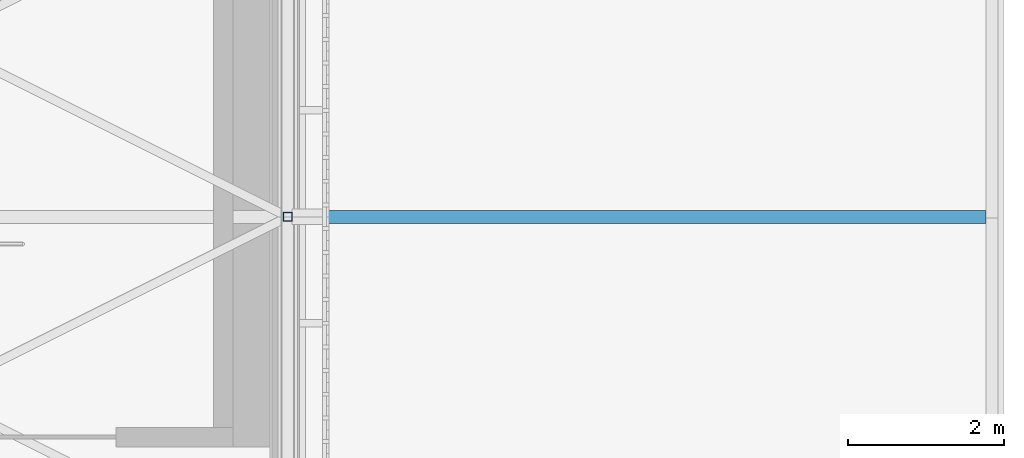
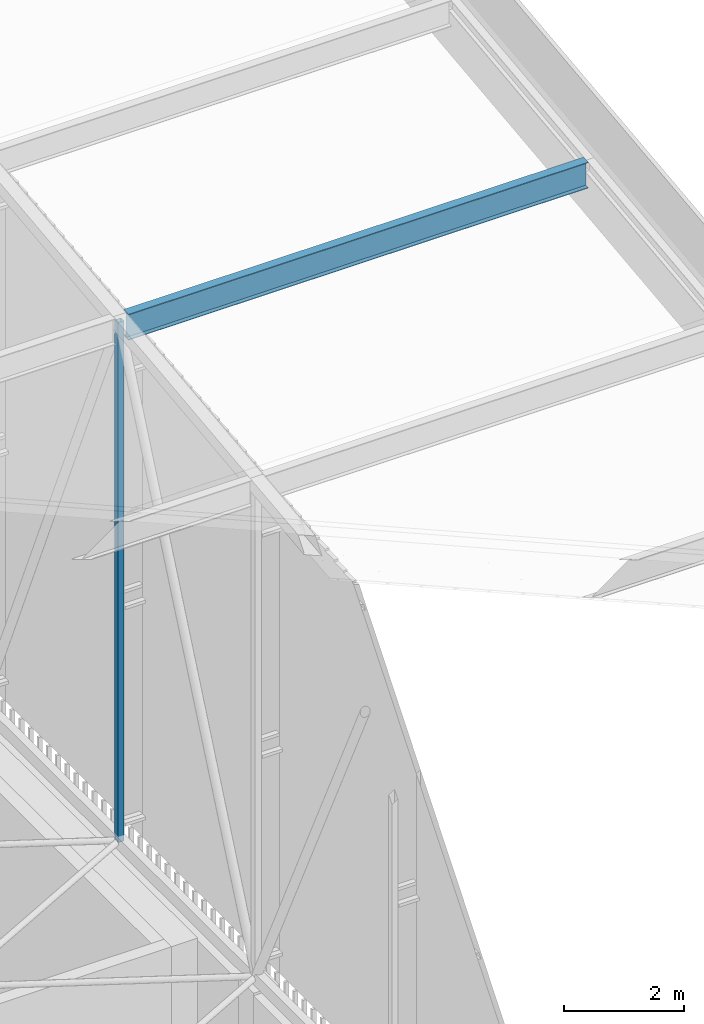
# One storey, part 347 of 500: 2 members.
"""IFC4 building model written with IfcOpenShell, lengths in metres."""

import ifcopenshell
import ifcopenshell.guid

model = None  # the IFC model being written
_history = None  # IfcOwnerHistory: only IFC2X3 demands one
_inside = {}  # id of a spatial element -> (the spatial element, [elements in it])
_under = {}  # id of a project, library or spatial element -> (it, [spatial elements below it])
_declared = {}  # id of a project -> (the project, [libraries it declares])
_typed = {}  # id of a type object -> (the type object, [elements of that type])
_made_of = {}  # id of a material, layer set ... -> (it, [elements and type objects made of it])


def new_model(schema):
    """Start an empty IFC model of exactly this schema.

    Asked for "IFC4X3", IfcOpenShell would pick the latest addendum, in which some entities
    have other attributes; the version numbers below select the first issue.
    IFC2X3 requires an IfcOwnerHistory on every rooted entity: one is made here for all.
    """
    global model, _history
    if schema == "IFC4X3":
        model = ifcopenshell.file(schema_version=(4, 3, 0, 0))
    else:
        model = ifcopenshell.file(schema=schema)
    _inside.clear()
    _under.clear()
    _declared.clear()
    _typed.clear()
    _made_of.clear()
    _history = None
    if model.schema == "IFC2X3":
        org = make("IfcOrganization", Name="unknown")
        user = make(
            "IfcPersonAndOrganization",
            ThePerson=make("IfcPerson", FamilyName="unknown"),
            TheOrganization=org,
        )
        app = make(
            "IfcApplication",
            ApplicationDeveloper=org,
            Version="unknown",
            ApplicationFullName="unknown",
            ApplicationIdentifier="unknown",
        )
        _history = make(
            "IfcOwnerHistory",
            OwningUser=user,
            OwningApplication=app,
            ChangeAction="ADDED",
            CreationDate=0,
        )
    return model


def make(cls, **values):
    """One entity of the class cls with the attributes given. An attribute that is None is left unset."""
    return model.create_entity(
        cls, **{name: value for name, value in values.items() if value is not None}
    )


def rooted(cls, **values):
    """An entity with a GlobalId (a new one), such as an element, a storey or a relation."""
    return make(cls, GlobalId=ifcopenshell.guid.new(), OwnerHistory=_history, **values)


def si_unit(unit_type, name, prefix=None):
    """IfcSIUnit, for example si_unit("LENGTHUNIT", "METRE", prefix="MILLI")."""
    return make("IfcSIUnit", UnitType=unit_type, Prefix=prefix, Name=name)


def assignment(units):
    """IfcUnitAssignment: the units of a project."""
    return None if units is None else make("IfcUnitAssignment", Units=units)


def point(xyz):
    """IfcCartesianPoint."""
    return None if xyz is None else make("IfcCartesianPoint", Coordinates=xyz)


def direction(xyz):
    """IfcDirection."""
    return None if xyz is None else make("IfcDirection", DirectionRatios=xyz)


def frame(location, z_axis=None, x_axis=None):
    """IfcAxis2Placement3D, a coordinate frame: its origin and axes. An axis left out is left unset."""
    return make(
        "IfcAxis2Placement3D",
        Location=point(location),
        Axis=direction(z_axis),
        RefDirection=direction(x_axis),
    )


def frame_2d(location, x_axis=None):
    """IfcAxis2Placement2D, a coordinate frame in the plane: its origin and x axis."""
    return make(
        "IfcAxis2Placement2D", Location=point(location), RefDirection=direction(x_axis)
    )


def origin():
    """The frame at (0, 0, 0) with its axes left unset."""
    return frame((0.0, 0.0, 0.0))


def origin_2d():
    """The frame at (0, 0) in the plane with its x axis left unset."""
    return frame_2d((0.0, 0.0))


def place(relative_to, where):
    """IfcLocalPlacement: puts the frame where relative to a parent placement (None: the world)."""
    return make(
        "IfcLocalPlacement", PlacementRelTo=relative_to, RelativePlacement=where
    )


def context(
    kind, dimensions, precision=None, world=None, true_north=None, identifier=None
):
    """IfcGeometricRepresentationContext, for example the 3D "Model" context."""
    return make(
        "IfcGeometricRepresentationContext",
        ContextIdentifier=identifier,
        ContextType=kind,
        CoordinateSpaceDimension=dimensions,
        Precision=precision,
        WorldCoordinateSystem=world,
        TrueNorth=true_north,
    )


def subcontext(parent, identifier, kind, view, scale=None):
    """IfcGeometricRepresentationSubContext, for example "Body" below "Model"."""
    return make(
        "IfcGeometricRepresentationSubContext",
        ContextIdentifier=identifier,
        ContextType=kind,
        ParentContext=parent,
        TargetScale=scale,
        TargetView=view,
    )


def project(units=None, contexts=None):
    """IfcProject with its units and contexts."""
    return rooted(
        "IfcProject",
        Name="project",
        RepresentationContexts=contexts,
        UnitsInContext=assignment(units),
    )


def spatial(cls, under=None, at=None, **own):
    """A site, building, storey or space (cls), placed at a placement, below another one or the project."""
    s = rooted(cls, ObjectPlacement=at, **own)
    if under is not None:
        _under.setdefault(under.id(), (under, []))[1].append(s)
    return s


def profile(cls, at=None, kind="AREA", **sizes):
    """A parametric profile (cls). Its sizes go by their IFC names, for example OverallWidth=200.0."""
    return make(cls, ProfileType=kind, Position=at, **sizes)


def hollow_rectangle(**sizes):
    """IfcRectangleHollowProfileDef."""
    return profile("IfcRectangleHollowProfileDef", **sizes)


def i_section(**sizes):
    """IfcIShapeProfileDef."""
    return profile("IfcIShapeProfileDef", **sizes)


def extrude(swept, where, along, depth):
    """IfcExtrudedAreaSolid: the profile swept, set in the frame where, extruded along a direction by depth."""
    return make(
        "IfcExtrudedAreaSolid",
        SweptArea=swept,
        Position=where,
        ExtrudedDirection=direction(along),
        Depth=depth,
    )


def shape(context_of_items, identifier, shape_type, items):
    """IfcShapeRepresentation: the items that make up one representation, for example the "Body"."""
    return make(
        "IfcShapeRepresentation",
        ContextOfItems=context_of_items,
        RepresentationIdentifier=identifier,
        RepresentationType=shape_type,
        Items=items,
    )


def material(Name=None, Category=None):
    """IfcMaterial."""
    return make("IfcMaterial", Name=Name, Category=Category)


def material_profile(
    of_material, cross_section, Name=None, Category=None, Priority=None
):
    """IfcMaterialProfile: a cross section and its material."""
    return make(
        "IfcMaterialProfile",
        Name=Name,
        Material=of_material,
        Profile=cross_section,
        Priority=Priority,
        Category=Category,
    )


def profile_set(profiles, Name=None, composite=None):
    """IfcMaterialProfileSet."""
    return make(
        "IfcMaterialProfileSet",
        Name=Name,
        MaterialProfiles=profiles,
        CompositeProfile=composite,
    )


def made_of(thing, what):
    """Note that an element or type object is made of a material, layer set ...; save() writes the relation."""
    if what is not None:
        _made_of.setdefault(what.id(), (what, []))[1].append(thing)
    return thing


def type_object(cls, material=None, **own):
    """A type object (cls), such as IfcWallType, which elements share."""
    return made_of(rooted(cls, **own), material)


def element(
    cls,
    number,
    at=None,
    inside=None,
    cuts=None,
    type_object=None,
    material=None,
    context=None,
    identifier="Body",
    shape_type=None,
    held_by="IfcProductDefinitionShape",
    body=None,
    shapes=None,
    **own,
):
    """One element of the class cls, such as IfcWall. Its Tag is "e" and its number.

    at: its placement. inside: the storey or other place that contains it. cuts: it is an
    opening in that element (IfcRelVoidsElement). A single representation is given by context,
    identifier, shape_type and body (its items); several are given by shapes. held_by: the class
    of the entity that holds the representations. save() writes the other relations.
    """
    e = rooted(cls, Tag="e%d" % number, ObjectPlacement=at, **own)
    if body is not None:
        shapes = [shape(context, identifier, shape_type, body)]
    if shapes is not None:
        e.Representation = make(held_by, Representations=shapes)
    if inside is not None:
        _inside.setdefault(inside.id(), (inside, []))[1].append(e)
    if cuts is not None:
        rooted(
            "IfcRelVoidsElement", RelatingBuildingElement=cuts, RelatedOpeningElement=e
        )
    if type_object is not None:
        _typed.setdefault(type_object.id(), (type_object, []))[1].append(e)
    return made_of(e, material)


def aggregate(whole, parts):
    """IfcRelAggregates: a whole, such as a stair, and the parts it consists of."""
    return rooted("IfcRelAggregates", RelatingObject=whole, RelatedObjects=parts)


def save(model, path):
    """Write the relations noted so far, then the file.

    IfcRelAggregates (storeys below a building ...), IfcRelContainedInSpatialStructure (elements
    in a storey), IfcRelDefinesByType, IfcRelAssociatesMaterial and IfcRelDeclares: one each for
    every whole, place, type object, material and project.
    """
    for whole, parts in _under.values():
        aggregate(whole, parts)
    for where, things in _inside.values():
        rooted(
            "IfcRelContainedInSpatialStructure",
            RelatedElements=things,
            RelatingStructure=where,
        )
    for kind, things in _typed.values():
        rooted("IfcRelDefinesByType", RelatedObjects=things, RelatingType=kind)
    for what, things in _made_of.values():
        rooted("IfcRelAssociatesMaterial", RelatedObjects=things, RelatingMaterial=what)
    for by, libraries in _declared.values():
        rooted("IfcRelDeclares", RelatingContext=by, RelatedDefinitions=libraries)
    model.write(path)


model = new_model("IFC4")

# Units and contexts
model_context = context("Model", 3, precision=1e-05, world=origin(), true_north=direction((0.0, 1.0)))
body_context = subcontext(model_context, "Body", "Model", "MODEL_VIEW")
ifc_project = project(units=[si_unit("LENGTHUNIT", "METRE"), si_unit("AREAUNIT", "SQUARE_METRE"), si_unit("VOLUMEUNIT", "CUBIC_METRE"), si_unit("PLANEANGLEUNIT", "RADIAN"), si_unit("MASSUNIT", "GRAM", prefix="KILO")], contexts=[model_context])

# Site, building, storey
site_placement = place(None, origin())
site = spatial("IfcSite", under=ifc_project, at=site_placement, CompositionType="ELEMENT")
building_placement = place(site_placement, origin())
building = spatial("IfcBuilding", under=site, at=building_placement, Name="Shirokan Park Arena", CompositionType="ELEMENT")
storey_placement = place(building_placement, frame((0.0, 0.0, 29.1201171875)))
storey = spatial("IfcBuildingStorey", under=building, at=storey_placement, Name="L06", CompositionType="ELEMENT", Elevation=29.1201171875)

# Members
ifc_material_1 = material(Name="Steel ASTM A992", Category="steel")
ifc_material_profile_1 = material_profile(ifc_material_1, i_section(OverallWidth=0.166015625, OverallDepth=0.528076171875, WebThickness=0.009765625, FlangeThickness=0.013671875, at=origin_2d()), Name="W530X74")
ifc_profile_set_1 = profile_set([ifc_material_profile_1], Name="Steel ASTM A992")
member_type_1 = type_object("IfcMemberType", Name="Purlin W530X74", PredefinedType="PURLIN", material=ifc_profile_set_1)
member_1_placement = place(storey_placement, frame((145.72705078125, 22.75, 15.0859375), z_axis=(1.0, 0.0, 0.0), x_axis=(0.0, 1.0, 0.0)))
element("IfcMember", 1, at=member_1_placement, inside=storey, type_object=member_type_1, Name="Eave purlin east 8", PredefinedType="PURLIN", context=body_context, shape_type="SweptSolid", body=[
    extrude(i_section(OverallWidth=0.166015625, OverallDepth=0.528076171875, WebThickness=0.009765625, FlangeThickness=0.013671875, at=origin_2d()), origin(), (0.0, 0.0, 1.0), 8.824951171875),
])
ifc_material_2 = material(Name="Steel ASTM A500 Grade C", Category="steel")
ifc_material_profile_2 = material_profile(ifc_material_2, hollow_rectangle(XDim=0.114013671875, YDim=0.114013671875, WallThickness=0.00634765625, at=origin_2d()), Name="HSS114.3X114.3X6.4")
ifc_profile_set_2 = profile_set([ifc_material_profile_2], Name="Steel ASTM A500 Grade C")
member_type_2 = type_object("IfcMemberType", Name="Truss post HSS114.3X114.3X6.4", PredefinedType="POST", material=ifc_profile_set_2)
member_2_placement = place(storey_placement, frame((145.60009765625, 22.75, 4.677001953125), z_axis=(0.0, 0.0, 1.0), x_axis=(1.0, 0.0, 0.0)))
element("IfcMember", 2, at=member_2_placement, inside=storey, type_object=member_type_2, Name="Truss T17 post 8", PredefinedType="POST", context=body_context, shape_type="SweptSolid", body=[
    extrude(hollow_rectangle(XDim=0.114013671875, YDim=0.114013671875, WallThickness=0.00634765625, at=origin_2d()), origin(), (0.0, 0.0, 1.0), 10.5458984375),
])

save(model, "model.ifc")
